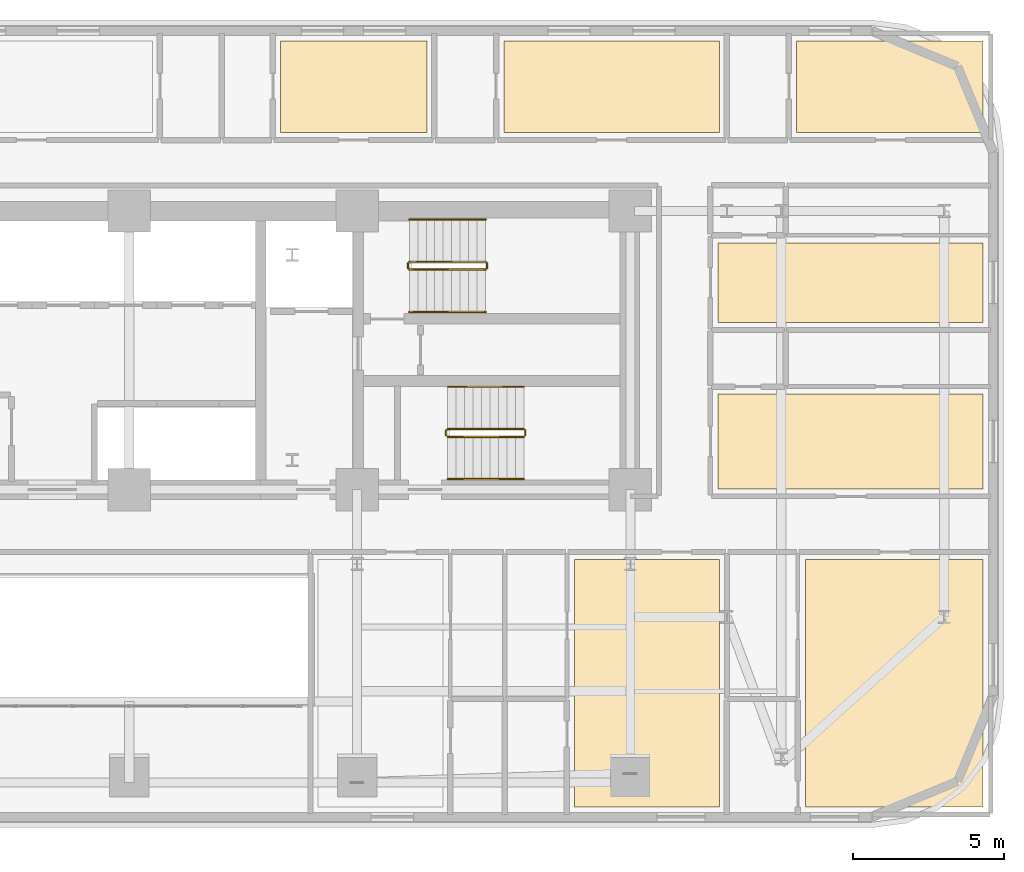
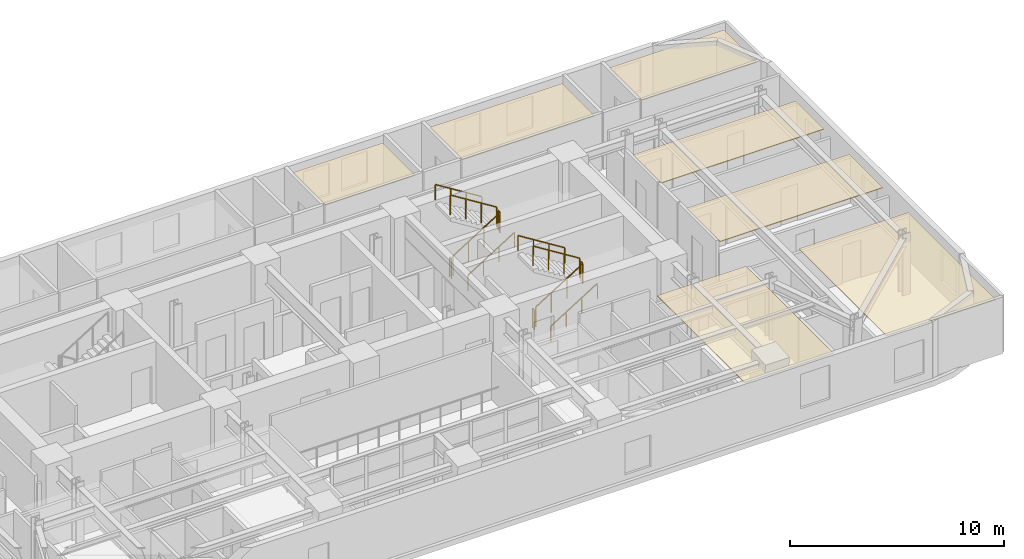
# One storey, part 16 of 16: 12 railings, 7 coverings.
"""IFC4 building model written with IfcOpenShell, lengths in metres."""

import ifcopenshell
import ifcopenshell.guid

model = None  # the IFC model being written
_history = None  # IfcOwnerHistory: only IFC2X3 demands one
_inside = {}  # id of a spatial element -> (the spatial element, [elements in it])
_under = {}  # id of a project, library or spatial element -> (it, [spatial elements below it])
_declared = {}  # id of a project -> (the project, [libraries it declares])
_typed = {}  # id of a type object -> (the type object, [elements of that type])
_made_of = {}  # id of a material, layer set ... -> (it, [elements and type objects made of it])


def new_model(schema):
    """Start an empty IFC model of exactly this schema.

    Asked for "IFC4X3", IfcOpenShell would pick the latest addendum, in which some entities
    have other attributes; the version numbers below select the first issue.
    IFC2X3 requires an IfcOwnerHistory on every rooted entity: one is made here for all.
    """
    global model, _history
    if schema == "IFC4X3":
        model = ifcopenshell.file(schema_version=(4, 3, 0, 0))
    else:
        model = ifcopenshell.file(schema=schema)
    _inside.clear()
    _under.clear()
    _declared.clear()
    _typed.clear()
    _made_of.clear()
    _history = None
    if model.schema == "IFC2X3":
        org = make("IfcOrganization", Name="unknown")
        user = make(
            "IfcPersonAndOrganization",
            ThePerson=make("IfcPerson", FamilyName="unknown"),
            TheOrganization=org,
        )
        app = make(
            "IfcApplication",
            ApplicationDeveloper=org,
            Version="unknown",
            ApplicationFullName="unknown",
            ApplicationIdentifier="unknown",
        )
        _history = make(
            "IfcOwnerHistory",
            OwningUser=user,
            OwningApplication=app,
            ChangeAction="ADDED",
            CreationDate=0,
        )
    return model


def make(cls, **values):
    """One entity of the class cls with the attributes given. An attribute that is None is left unset."""
    return model.create_entity(
        cls, **{name: value for name, value in values.items() if value is not None}
    )


def rooted(cls, **values):
    """An entity with a GlobalId (a new one), such as an element, a storey or a relation."""
    return make(cls, GlobalId=ifcopenshell.guid.new(), OwnerHistory=_history, **values)


def si_unit(unit_type, name, prefix=None):
    """IfcSIUnit, for example si_unit("LENGTHUNIT", "METRE", prefix="MILLI")."""
    return make("IfcSIUnit", UnitType=unit_type, Prefix=prefix, Name=name)


def assignment(units):
    """IfcUnitAssignment: the units of a project."""
    return None if units is None else make("IfcUnitAssignment", Units=units)


def point(xyz):
    """IfcCartesianPoint."""
    return None if xyz is None else make("IfcCartesianPoint", Coordinates=xyz)


def direction(xyz):
    """IfcDirection."""
    return None if xyz is None else make("IfcDirection", DirectionRatios=xyz)


def frame(location, z_axis=None, x_axis=None):
    """IfcAxis2Placement3D, a coordinate frame: its origin and axes. An axis left out is left unset."""
    return make(
        "IfcAxis2Placement3D",
        Location=point(location),
        Axis=direction(z_axis),
        RefDirection=direction(x_axis),
    )


def frame_2d(location, x_axis=None):
    """IfcAxis2Placement2D, a coordinate frame in the plane: its origin and x axis."""
    return make(
        "IfcAxis2Placement2D", Location=point(location), RefDirection=direction(x_axis)
    )


def origin():
    """The frame at (0, 0, 0) with its axes left unset."""
    return frame((0.0, 0.0, 0.0))


def origin_2d():
    """The frame at (0, 0) in the plane with its x axis left unset."""
    return frame_2d((0.0, 0.0))


def place(relative_to, where):
    """IfcLocalPlacement: puts the frame where relative to a parent placement (None: the world)."""
    return make(
        "IfcLocalPlacement", PlacementRelTo=relative_to, RelativePlacement=where
    )


def context(
    kind, dimensions, precision=None, world=None, true_north=None, identifier=None
):
    """IfcGeometricRepresentationContext, for example the 3D "Model" context."""
    return make(
        "IfcGeometricRepresentationContext",
        ContextIdentifier=identifier,
        ContextType=kind,
        CoordinateSpaceDimension=dimensions,
        Precision=precision,
        WorldCoordinateSystem=world,
        TrueNorth=true_north,
    )


def subcontext(parent, identifier, kind, view, scale=None):
    """IfcGeometricRepresentationSubContext, for example "Body" below "Model"."""
    return make(
        "IfcGeometricRepresentationSubContext",
        ContextIdentifier=identifier,
        ContextType=kind,
        ParentContext=parent,
        TargetScale=scale,
        TargetView=view,
    )


def project(units=None, contexts=None):
    """IfcProject with its units and contexts."""
    return rooted(
        "IfcProject",
        Name="project",
        RepresentationContexts=contexts,
        UnitsInContext=assignment(units),
    )


def spatial(cls, under=None, at=None, **own):
    """A site, building, storey or space (cls), placed at a placement, below another one or the project."""
    s = rooted(cls, ObjectPlacement=at, **own)
    if under is not None:
        _under.setdefault(under.id(), (under, []))[1].append(s)
    return s


def polyline(points):
    """IfcPolyline through the points."""
    return make("IfcPolyline", Points=[point(p) for p in points])


def profile(cls, at=None, kind="AREA", **sizes):
    """A parametric profile (cls). Its sizes go by their IFC names, for example OverallWidth=200.0."""
    return make(cls, ProfileType=kind, Position=at, **sizes)


def rectangle(**sizes):
    """IfcRectangleProfileDef."""
    return profile("IfcRectangleProfileDef", **sizes)


def outline(outer, holes=None, kind="AREA"):
    """IfcArbitraryClosedProfileDef: a profile drawn as a closed curve; with holes, ...WithVoids."""
    if holes is None:
        return make("IfcArbitraryClosedProfileDef", ProfileType=kind, OuterCurve=outer)
    return make(
        "IfcArbitraryProfileDefWithVoids",
        ProfileType=kind,
        OuterCurve=outer,
        InnerCurves=holes,
    )


def extrude(swept, where, along, depth):
    """IfcExtrudedAreaSolid: the profile swept, set in the frame where, extruded along a direction by depth."""
    return make(
        "IfcExtrudedAreaSolid",
        SweptArea=swept,
        Position=where,
        ExtrudedDirection=direction(along),
        Depth=depth,
    )


def shape(context_of_items, identifier, shape_type, items):
    """IfcShapeRepresentation: the items that make up one representation, for example the "Body"."""
    return make(
        "IfcShapeRepresentation",
        ContextOfItems=context_of_items,
        RepresentationIdentifier=identifier,
        RepresentationType=shape_type,
        Items=items,
    )


def material(Name=None, Category=None):
    """IfcMaterial."""
    return make("IfcMaterial", Name=Name, Category=Category)


def layer(
    of_material, thickness, ventilated=None, Name=None, Category=None, Priority=None
):
    """IfcMaterialLayer: one layer of a wall or slab, of a material (None: an air gap)."""
    return make(
        "IfcMaterialLayer",
        Material=of_material,
        LayerThickness=thickness,
        IsVentilated=ventilated,
        Name=Name,
        Category=Category,
        Priority=Priority,
    )


def layer_set(layers, Name=None):
    """IfcMaterialLayerSet."""
    return make("IfcMaterialLayerSet", MaterialLayers=layers, LayerSetName=Name)


def made_of(thing, what):
    """Note that an element or type object is made of a material, layer set ...; save() writes the relation."""
    if what is not None:
        _made_of.setdefault(what.id(), (what, []))[1].append(thing)
    return thing


def type_object(cls, material=None, **own):
    """A type object (cls), such as IfcWallType, which elements share."""
    return made_of(rooted(cls, **own), material)


def element(
    cls,
    number,
    at=None,
    inside=None,
    cuts=None,
    type_object=None,
    material=None,
    context=None,
    identifier="Body",
    shape_type=None,
    held_by="IfcProductDefinitionShape",
    body=None,
    shapes=None,
    **own,
):
    """One element of the class cls, such as IfcWall. Its Tag is "e" and its number.

    at: its placement. inside: the storey or other place that contains it. cuts: it is an
    opening in that element (IfcRelVoidsElement). A single representation is given by context,
    identifier, shape_type and body (its items); several are given by shapes. held_by: the class
    of the entity that holds the representations. save() writes the other relations.
    """
    e = rooted(cls, Tag="e%d" % number, ObjectPlacement=at, **own)
    if body is not None:
        shapes = [shape(context, identifier, shape_type, body)]
    if shapes is not None:
        e.Representation = make(held_by, Representations=shapes)
    if inside is not None:
        _inside.setdefault(inside.id(), (inside, []))[1].append(e)
    if cuts is not None:
        rooted(
            "IfcRelVoidsElement", RelatingBuildingElement=cuts, RelatedOpeningElement=e
        )
    if type_object is not None:
        _typed.setdefault(type_object.id(), (type_object, []))[1].append(e)
    return made_of(e, material)


def aggregate(whole, parts):
    """IfcRelAggregates: a whole, such as a stair, and the parts it consists of."""
    return rooted("IfcRelAggregates", RelatingObject=whole, RelatedObjects=parts)


def save(model, path):
    """Write the relations noted so far, then the file.

    IfcRelAggregates (storeys below a building ...), IfcRelContainedInSpatialStructure (elements
    in a storey), IfcRelDefinesByType, IfcRelAssociatesMaterial and IfcRelDeclares: one each for
    every whole, place, type object, material and project.
    """
    for whole, parts in _under.values():
        aggregate(whole, parts)
    for where, things in _inside.values():
        rooted(
            "IfcRelContainedInSpatialStructure",
            RelatedElements=things,
            RelatingStructure=where,
        )
    for kind, things in _typed.values():
        rooted("IfcRelDefinesByType", RelatedObjects=things, RelatingType=kind)
    for what, things in _made_of.values():
        rooted("IfcRelAssociatesMaterial", RelatedObjects=things, RelatingMaterial=what)
    for by, libraries in _declared.values():
        rooted("IfcRelDeclares", RelatingContext=by, RelatedDefinitions=libraries)
    model.write(path)


model = new_model("IFC4")

# Units and contexts
model_context = context("Model", 3, precision=1e-05, world=origin(), true_north=direction((0.0, 1.0)))
body_context = subcontext(model_context, "Body", "Model", "MODEL_VIEW")
ifc_project = project(units=[si_unit("LENGTHUNIT", "METRE"), si_unit("AREAUNIT", "SQUARE_METRE"), si_unit("VOLUMEUNIT", "CUBIC_METRE"), si_unit("PLANEANGLEUNIT", "RADIAN"), si_unit("MASSUNIT", "GRAM", prefix="KILO")], contexts=[model_context])

# Site, building, storey
site_placement = place(None, origin())
site = spatial("IfcSite", under=ifc_project, at=site_placement, CompositionType="ELEMENT")
building_placement = place(site_placement, origin())
building = spatial("IfcBuilding", under=site, at=building_placement, Name="Zarnavel Station Tower", CompositionType="ELEMENT")
storey_placement = place(building_placement, frame((0.0, 0.0, 86.300048828125)))
storey = spatial("IfcBuildingStorey", under=building, at=storey_placement, Name="L23", CompositionType="ELEMENT", Elevation=86.300048828125)

# Coverings
ifc_material_1 = material(Name="Perforated Gypsum and Mineral-Wool Acoustic Ceiling", Category="concrete")
ifc_layer = layer(ifc_material_1, 0.0400390625)
ifc_layer_set = layer_set([ifc_layer], Name="COV_CEIL_ACOUSTIC")
covering_type = type_object("IfcCoveringType", Name="COV_CEIL_ACOUSTIC", PredefinedType="CEILING", material=ifc_layer_set)
covering_1_placement = place(storey_placement, frame((0.0, 0.0, 2.919921875)))
element("IfcCovering", 1, at=covering_1_placement, inside=storey, type_object=covering_type, Name="L23 FNE1R Acoustic Ceiling", PredefinedType="CEILING", context=body_context, shape_type="SweptSolid", body=[
    extrude(outline(polyline([(48.300048828125, 27.85009765625), (57.090087890625, 27.85009765625), (57.090087890625, 30.986083984375), (48.300048828125, 30.986083984375), (48.300048828125, 27.85009765625)])), origin(), (0.0, 0.0, 1.0), 0.0400390625),
])
covering_2_placement = place(storey_placement, frame((0.0, 0.0, 2.919921875)))
element("IfcCovering", 2, at=covering_2_placement, inside=storey, type_object=covering_type, Name="L23 FNE2R Acoustic Ceiling", PredefinedType="CEILING", context=body_context, shape_type="SweptSolid", body=[
    extrude(outline(polyline([(48.300048828125, 33.35888671875), (57.090087890625, 33.35888671875), (57.090087890625, 36.0), (48.300048828125, 36.0), (48.300048828125, 33.35888671875)])), origin(), (0.0, 0.0, 1.0), 0.0400390625),
])
covering_3_placement = place(storey_placement, frame((0.0, 0.0, 2.919921875)))
element("IfcCovering", 3, at=covering_3_placement, inside=storey, type_object=covering_type, Name="L23 HN3R Acoustic Ceiling", PredefinedType="CEILING", context=body_context, shape_type="SweptSolid", body=[
    extrude(outline(polyline([(33.804931640625, 39.64990234375), (38.657958984375, 39.64990234375), (38.657958984375, 42.68994140625), (33.804931640625, 42.68994140625), (33.804931640625, 39.64990234375)])), origin(), (0.0, 0.0, 1.0), 0.0400390625),
])
covering_4_placement = place(storey_placement, frame((0.0, 0.0, 2.919921875)))
element("IfcCovering", 4, at=covering_4_placement, inside=storey, type_object=covering_type, Name="L23 HN4R Acoustic Ceiling", PredefinedType="CEILING", context=body_context, shape_type="SweptSolid", body=[
    extrude(outline(polyline([(41.2080078125, 39.64990234375), (48.35009765625, 39.64990234375), (48.35009765625, 42.68994140625), (41.2080078125, 42.68994140625), (41.2080078125, 39.64990234375)])), origin(), (0.0, 0.0, 1.0), 0.0400390625),
])
covering_5_placement = place(storey_placement, frame((0.0, 0.0, 2.919921875)))
element("IfcCovering", 5, at=covering_5_placement, inside=storey, type_object=covering_type, Name="L23 HN5R Acoustic Ceiling", PredefinedType="CEILING", context=body_context, shape_type="SweptSolid", body=[
    extrude(outline(polyline([(50.89990234375, 39.64990234375), (57.090087890625, 39.64990234375), (57.090087890625, 42.68994140625), (50.89990234375, 42.68994140625), (50.89990234375, 39.64990234375)])), origin(), (0.0, 0.0, 1.0), 0.0400390625),
])
covering_6_placement = place(storey_placement, frame((0.0, 0.0, 2.919921875)))
element("IfcCovering", 6, at=covering_6_placement, inside=storey, type_object=covering_type, Name="L23 HE2R Acoustic Ceiling", PredefinedType="CEILING", context=body_context, shape_type="SweptSolid", body=[
    extrude(outline(polyline([(43.551025390625, 17.31005859375), (48.35009765625, 17.31005859375), (48.35009765625, 25.5), (43.551025390625, 25.5), (43.551025390625, 17.31005859375)])), origin(), (0.0, 0.0, 1.0), 0.0400390625),
])
covering_7_placement = place(storey_placement, frame((0.0, 0.0, 2.919921875)))
element("IfcCovering", 7, at=covering_7_placement, inside=storey, type_object=covering_type, Name="L23 HE3R Acoustic Ceiling", PredefinedType="CEILING", context=body_context, shape_type="SweptSolid", body=[
    extrude(outline(polyline([(51.199951171875, 17.31005859375), (57.090087890625, 17.31005859375), (57.090087890625, 25.5), (51.199951171875, 25.5), (51.199951171875, 17.31005859375)])), origin(), (0.0, 0.0, 1.0), 0.0400390625),
])

# Railings
ifc_material_2 = material(Name="Painted Steel S355J2 Balustrade", Category="steel")
railing_type_1 = type_object("IfcRailingType", Name="GR_INT_1150", PredefinedType="GUARDRAIL", material=ifc_material_2)
railing_1_placement = place(storey_placement, frame((38.080078125, 35.110107421875, 0.175048828125)))
element("IfcRailing", 8, at=railing_1_placement, inside=storey, type_object=railing_type_1, Name="L23 ST2 stair guard 1", PredefinedType="GUARDRAIL", context=body_context, shape_type="SweptSolid", body=[
    extrude(rectangle(XDim=0.048095703125, YDim=0.048095703125, at=origin_2d()), frame((0.001708984375, 0.0, 1.126953125), z_axis=(0.848007534815, 0.0, 0.529984170421), x_axis=(0.0, 1.0, 0.0)), (0.0, 0.0, 1.0), 2.9677734375),
    extrude(rectangle(XDim=0.0419921875, YDim=0.0419921875, at=origin_2d()), origin(), (0.0, 0.0, 1.0), 1.101806640625),
    extrude(rectangle(XDim=0.0419921875, YDim=0.0419921875, at=origin_2d()), frame((0.840087890625, 0.0, 0.52490234375)), (0.0, 0.0, 1.0), 1.101806640625),
    extrude(rectangle(XDim=0.0419921875, YDim=0.0419921875, at=origin_2d()), frame((1.679931640625, 0.0, 1.050048828125)), (0.0, 0.0, 1.0), 1.101806640625),
    extrude(rectangle(XDim=0.0419921875, YDim=0.0419921875, at=origin_2d()), frame((2.52001953125, 0.0, 1.574951171875)), (0.0, 0.0, 1.0), 1.101806640625),
])
railing_2_placement = place(storey_placement, frame((40.64990234375, 35.159912109375, 1.75)))
element("IfcRailing", 9, at=railing_2_placement, inside=storey, type_object=railing_type_1, Name="L23 ST2 stair guard 2", PredefinedType="GUARDRAIL", context=body_context, shape_type="SweptSolid", body=[
    extrude(rectangle(XDim=0.048095703125, YDim=0.048095703125, at=origin_2d()), frame((0.0, 0.001953125, 1.1259765625), z_axis=(0.0, 1.0, 0.0), x_axis=(-1.0, 0.0, 0.0)), (0.0, 0.0, 1.0), 0.15625),
    extrude(rectangle(XDim=0.0419921875, YDim=0.0419921875, at=origin_2d()), origin(), (0.0, 0.0, 1.0), 1.101806640625),
    extrude(rectangle(XDim=0.0419921875, YDim=0.0419921875, at=origin_2d()), frame((0.0, 0.16015625, 0.0)), (0.0, 0.0, 1.0), 1.101806640625),
])
railing_3_placement = place(storey_placement, frame((40.60009765625, 35.3701171875, 1.925048828125)))
element("IfcRailing", 10, at=railing_3_placement, inside=storey, type_object=railing_type_1, Name="L23 ST2 stair guard 3", PredefinedType="GUARDRAIL", context=body_context, shape_type="SweptSolid", body=[
    extrude(rectangle(XDim=0.048095703125, YDim=0.048095703125, at=origin_2d()), frame((-0.001708984375, 0.0, 1.126953125), z_axis=(-0.848007534815, 0.0, 0.529984170421), x_axis=(0.0, -1.0, 0.0)), (0.0, 0.0, 1.0), 2.9677734375),
    extrude(rectangle(XDim=0.0419921875, YDim=0.0419921875, at=origin_2d()), origin(), (0.0, 0.0, 1.0), 1.101806640625),
    extrude(rectangle(XDim=0.0419921875, YDim=0.0419921875, at=origin_2d()), frame((-0.840087890625, 0.0, 0.52490234375)), (0.0, 0.0, 1.0), 1.101806640625),
    extrude(rectangle(XDim=0.0419921875, YDim=0.0419921875, at=origin_2d()), frame((-1.679931640625, 0.0, 1.050048828125)), (0.0, 0.0, 1.0), 1.101806640625),
    extrude(rectangle(XDim=0.0419921875, YDim=0.0419921875, at=origin_2d()), frame((-2.52001953125, 0.0, 1.574951171875)), (0.0, 0.0, 1.0), 1.101806640625),
])
railing_4_placement = place(storey_placement, frame((38.030029296875, 35.159912109375, 0.0)))
element("IfcRailing", 11, at=railing_4_placement, inside=storey, type_object=railing_type_1, Name="L23 ST2 stair guard 4", PredefinedType="GUARDRAIL", context=body_context, shape_type="SweptSolid", body=[
    extrude(rectangle(XDim=0.048095703125, YDim=0.048095703125, at=origin_2d()), frame((0.0, 0.001953125, 1.1259765625), z_axis=(0.0, 1.0, 0.0), x_axis=(-1.0, 0.0, 0.0)), (0.0, 0.0, 1.0), 0.15625),
    extrude(rectangle(XDim=0.0419921875, YDim=0.0419921875, at=origin_2d()), origin(), (0.0, 0.0, 1.0), 1.101806640625),
    extrude(rectangle(XDim=0.0419921875, YDim=0.0419921875, at=origin_2d()), frame((0.0, 0.16015625, 0.0)), (0.0, 0.0, 1.0), 1.101806640625),
])
railing_5_placement = place(storey_placement, frame((39.35009765625, 29.570068359375, 0.175048828125)))
element("IfcRailing", 12, at=railing_5_placement, inside=storey, type_object=railing_type_1, Name="L23 ST3 stair guard 1", PredefinedType="GUARDRAIL", context=body_context, shape_type="SweptSolid", body=[
    extrude(rectangle(XDim=0.048095703125, YDim=0.048095703125, at=origin_2d()), frame((0.001708984375, 0.0, 1.126953125), z_axis=(0.848007534815, 0.0, 0.529984170421), x_axis=(0.0, 1.0, 0.0)), (0.0, 0.0, 1.0), 2.9677734375),
    extrude(rectangle(XDim=0.0419921875, YDim=0.0419921875, at=origin_2d()), origin(), (0.0, 0.0, 1.0), 1.101806640625),
    extrude(rectangle(XDim=0.0419921875, YDim=0.0419921875, at=origin_2d()), frame((0.840087890625, 0.0, 0.52490234375)), (0.0, 0.0, 1.0), 1.101806640625),
    extrude(rectangle(XDim=0.0419921875, YDim=0.0419921875, at=origin_2d()), frame((1.679931640625, 0.0, 1.050048828125)), (0.0, 0.0, 1.0), 1.101806640625),
    extrude(rectangle(XDim=0.0419921875, YDim=0.0419921875, at=origin_2d()), frame((2.52001953125, 0.0, 1.574951171875)), (0.0, 0.0, 1.0), 1.101806640625),
])
railing_6_placement = place(storey_placement, frame((41.919921875, 29.6201171875, 1.75)))
element("IfcRailing", 13, at=railing_6_placement, inside=storey, type_object=railing_type_1, Name="L23 ST3 stair guard 2", PredefinedType="GUARDRAIL", context=body_context, shape_type="SweptSolid", body=[
    extrude(rectangle(XDim=0.048095703125, YDim=0.048095703125, at=origin_2d()), frame((0.0, 0.001953125, 1.1259765625), z_axis=(0.0, 1.0, 0.0), x_axis=(-1.0, 0.0, 0.0)), (0.0, 0.0, 1.0), 0.156005859375),
    extrude(rectangle(XDim=0.0419921875, YDim=0.0419921875, at=origin_2d()), origin(), (0.0, 0.0, 1.0), 1.101806640625),
    extrude(rectangle(XDim=0.0419921875, YDim=0.0419921875, at=origin_2d()), frame((0.0, 0.159912109375, 0.0)), (0.0, 0.0, 1.0), 1.101806640625),
])
railing_7_placement = place(storey_placement, frame((41.8701171875, 29.830078125, 1.925048828125)))
element("IfcRailing", 14, at=railing_7_placement, inside=storey, type_object=railing_type_1, Name="L23 ST3 stair guard 3", PredefinedType="GUARDRAIL", context=body_context, shape_type="SweptSolid", body=[
    extrude(rectangle(XDim=0.048095703125, YDim=0.048095703125, at=origin_2d()), frame((-0.001708984375, 0.0, 1.126953125), z_axis=(-0.848007534815, 0.0, 0.529984170421), x_axis=(0.0, -1.0, 0.0)), (0.0, 0.0, 1.0), 2.9677734375),
    extrude(rectangle(XDim=0.0419921875, YDim=0.0419921875, at=origin_2d()), origin(), (0.0, 0.0, 1.0), 1.101806640625),
    extrude(rectangle(XDim=0.0419921875, YDim=0.0419921875, at=origin_2d()), frame((-0.840087890625, 0.0, 0.52490234375)), (0.0, 0.0, 1.0), 1.101806640625),
    extrude(rectangle(XDim=0.0419921875, YDim=0.0419921875, at=origin_2d()), frame((-1.679931640625, 0.0, 1.050048828125)), (0.0, 0.0, 1.0), 1.101806640625),
    extrude(rectangle(XDim=0.0419921875, YDim=0.0419921875, at=origin_2d()), frame((-2.52001953125, 0.0, 1.574951171875)), (0.0, 0.0, 1.0), 1.101806640625),
])
railing_8_placement = place(storey_placement, frame((39.300048828125, 29.6201171875, 0.0)))
element("IfcRailing", 15, at=railing_8_placement, inside=storey, type_object=railing_type_1, Name="L23 ST3 stair guard 4", PredefinedType="GUARDRAIL", context=body_context, shape_type="SweptSolid", body=[
    extrude(rectangle(XDim=0.048095703125, YDim=0.048095703125, at=origin_2d()), frame((0.0, 0.001953125, 1.1259765625), z_axis=(0.0, 1.0, 0.0), x_axis=(-1.0, 0.0, 0.0)), (0.0, 0.0, 1.0), 0.156005859375),
    extrude(rectangle(XDim=0.0419921875, YDim=0.0419921875, at=origin_2d()), origin(), (0.0, 0.0, 1.0), 1.101806640625),
    extrude(rectangle(XDim=0.0419921875, YDim=0.0419921875, at=origin_2d()), frame((0.0, 0.159912109375, 0.0)), (0.0, 0.0, 1.0), 1.101806640625),
])
ifc_material_3 = material(Name="Brushed Stainless Steel S355J2 Handrail", Category="steel")
railing_type_2 = type_object("IfcRailingType", Name="HR_STAIR_900", PredefinedType="HANDRAIL", material=ifc_material_3)
railing_9_placement = place(storey_placement, frame((38.080078125, 33.7099609375, 0.175048828125)))
element("IfcRailing", 16, at=railing_9_placement, inside=storey, type_object=railing_type_2, Name="L23 ST2 stair handrail 1", PredefinedType="HANDRAIL", context=body_context, shape_type="SweptSolid", body=[
    extrude(rectangle(XDim=0.048095703125, YDim=0.048095703125, at=origin_2d()), frame((0.001708984375, 0.0, 0.876953125), z_axis=(0.848007534815, 0.0, 0.529984170421), x_axis=(0.0, 1.0, 0.0)), (0.0, 0.0, 1.0), 2.9677734375),
    extrude(rectangle(XDim=0.0419921875, YDim=0.0419921875, at=origin_2d()), origin(), (0.0, 0.0, 1.0), 0.851806640625),
    extrude(rectangle(XDim=0.0419921875, YDim=0.0419921875, at=origin_2d()), frame((0.840087890625, 0.0, 0.52490234375)), (0.0, 0.0, 1.0), 0.851806640625),
    extrude(rectangle(XDim=0.0419921875, YDim=0.0419921875, at=origin_2d()), frame((1.679931640625, 0.0, 1.050048828125)), (0.0, 0.0, 1.0), 0.851806640625),
    extrude(rectangle(XDim=0.0419921875, YDim=0.0419921875, at=origin_2d()), frame((2.52001953125, 0.0, 1.574951171875)), (0.0, 0.0, 1.0), 0.851806640625),
])
railing_10_placement = place(storey_placement, frame((40.60009765625, 36.77001953125, 1.925048828125)))
element("IfcRailing", 17, at=railing_10_placement, inside=storey, type_object=railing_type_2, Name="L23 ST2 stair handrail 2", PredefinedType="HANDRAIL", context=body_context, shape_type="SweptSolid", body=[
    extrude(rectangle(XDim=0.048095703125, YDim=0.048095703125, at=origin_2d()), frame((-0.001708984375, 0.0, 0.876953125), z_axis=(-0.848007534815, 0.0, 0.529984170421), x_axis=(0.0, -1.0, 0.0)), (0.0, 0.0, 1.0), 2.9677734375),
    extrude(rectangle(XDim=0.0419921875, YDim=0.0419921875, at=origin_2d()), origin(), (0.0, 0.0, 1.0), 0.851806640625),
    extrude(rectangle(XDim=0.0419921875, YDim=0.0419921875, at=origin_2d()), frame((-0.840087890625, 0.0, 0.52490234375)), (0.0, 0.0, 1.0), 0.851806640625),
    extrude(rectangle(XDim=0.0419921875, YDim=0.0419921875, at=origin_2d()), frame((-1.679931640625, 0.0, 1.050048828125)), (0.0, 0.0, 1.0), 0.851806640625),
    extrude(rectangle(XDim=0.0419921875, YDim=0.0419921875, at=origin_2d()), frame((-2.52001953125, 0.0, 1.574951171875)), (0.0, 0.0, 1.0), 0.851806640625),
])
railing_11_placement = place(storey_placement, frame((39.35009765625, 28.169921875, 0.175048828125)))
element("IfcRailing", 18, at=railing_11_placement, inside=storey, type_object=railing_type_2, Name="L23 ST3 stair handrail 1", PredefinedType="HANDRAIL", context=body_context, shape_type="SweptSolid", body=[
    extrude(rectangle(XDim=0.048095703125, YDim=0.048095703125, at=origin_2d()), frame((0.001708984375, 0.0, 0.876953125), z_axis=(0.848007534815, 0.0, 0.529984170421), x_axis=(0.0, 1.0, 0.0)), (0.0, 0.0, 1.0), 2.9677734375),
    extrude(rectangle(XDim=0.0419921875, YDim=0.0419921875, at=origin_2d()), origin(), (0.0, 0.0, 1.0), 0.851806640625),
    extrude(rectangle(XDim=0.0419921875, YDim=0.0419921875, at=origin_2d()), frame((0.840087890625, 0.0, 0.52490234375)), (0.0, 0.0, 1.0), 0.851806640625),
    extrude(rectangle(XDim=0.0419921875, YDim=0.0419921875, at=origin_2d()), frame((1.679931640625, 0.0, 1.050048828125)), (0.0, 0.0, 1.0), 0.851806640625),
    extrude(rectangle(XDim=0.0419921875, YDim=0.0419921875, at=origin_2d()), frame((2.52001953125, 0.0, 1.574951171875)), (0.0, 0.0, 1.0), 0.851806640625),
])
railing_12_placement = place(storey_placement, frame((41.8701171875, 31.22998046875, 1.925048828125)))
element("IfcRailing", 19, at=railing_12_placement, inside=storey, type_object=railing_type_2, Name="L23 ST3 stair handrail 2", PredefinedType="HANDRAIL", context=body_context, shape_type="SweptSolid", body=[
    extrude(rectangle(XDim=0.048095703125, YDim=0.048095703125, at=origin_2d()), frame((-0.001708984375, 0.0, 0.876953125), z_axis=(-0.848007534815, 0.0, 0.529984170421), x_axis=(0.0, -1.0, 0.0)), (0.0, 0.0, 1.0), 2.9677734375),
    extrude(rectangle(XDim=0.0419921875, YDim=0.0419921875, at=origin_2d()), origin(), (0.0, 0.0, 1.0), 0.851806640625),
    extrude(rectangle(XDim=0.0419921875, YDim=0.0419921875, at=origin_2d()), frame((-0.840087890625, 0.0, 0.52490234375)), (0.0, 0.0, 1.0), 0.851806640625),
    extrude(rectangle(XDim=0.0419921875, YDim=0.0419921875, at=origin_2d()), frame((-1.679931640625, 0.0, 1.050048828125)), (0.0, 0.0, 1.0), 0.851806640625),
    extrude(rectangle(XDim=0.0419921875, YDim=0.0419921875, at=origin_2d()), frame((-2.52001953125, 0.0, 1.574951171875)), (0.0, 0.0, 1.0), 0.851806640625),
])

save(model, "model.ifc")
